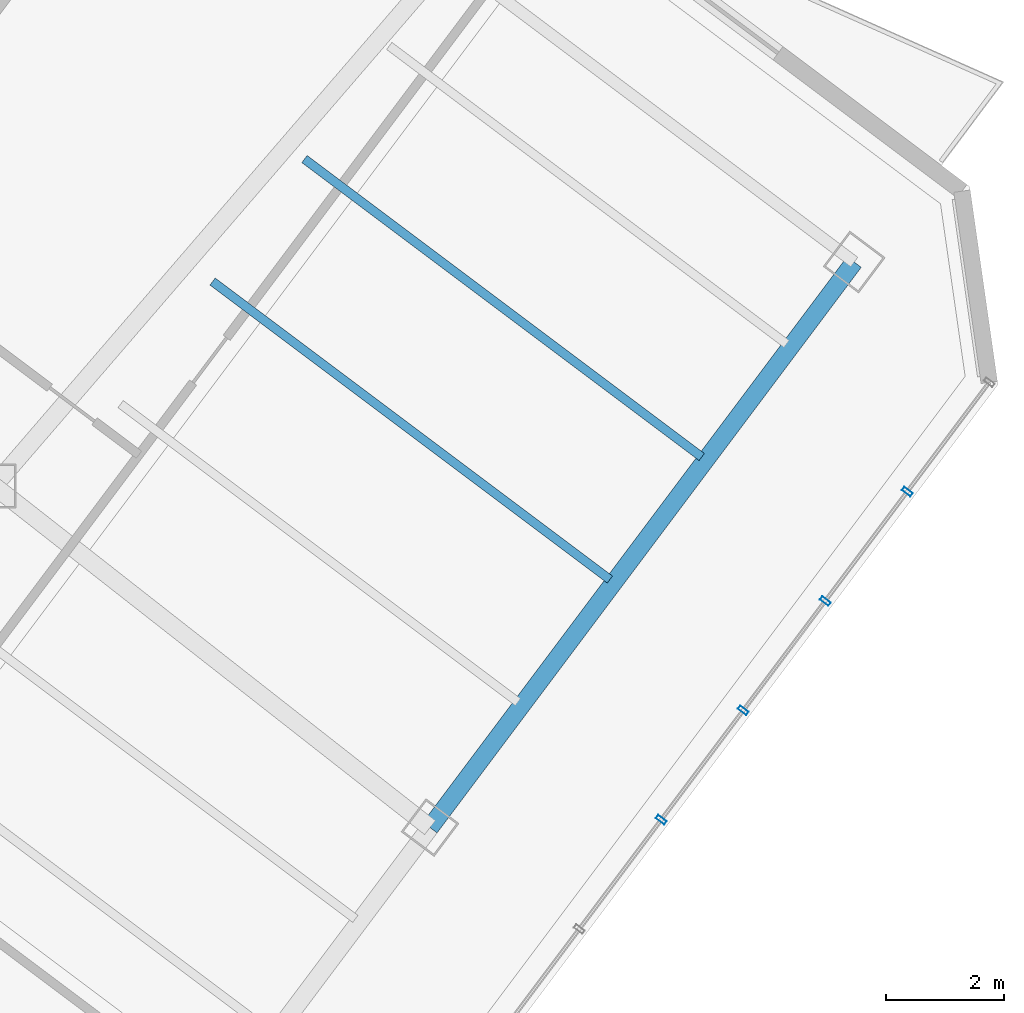
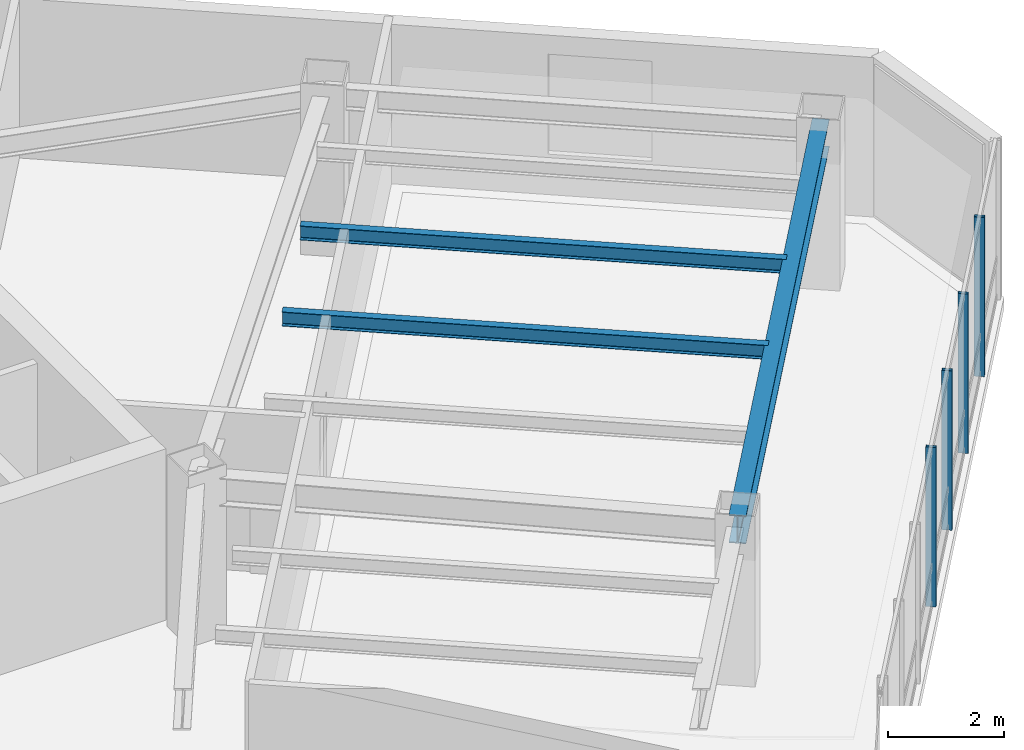
# One storey, part 13 of 24: 4 members, 3 beams, 1 element without a shape of its own.
"""IFC4 building model written with IfcOpenShell, lengths in metres."""

from ifc_helpers import new_model, si_unit, direction, frame, origin, origin_2d, place, context, subcontext, project, spatial, hollow_rectangle, i_section, extrude, material, layer, layer_set, material_profile, profile_set, type_object, element, aggregate, save


model = new_model("IFC4")

# Units and contexts
model_context = context("Model", 3, precision=1e-05, world=origin(), true_north=direction((0.0, 1.0)))
body_context = subcontext(model_context, "Body", "Model", "MODEL_VIEW")
ifc_project = project(units=[si_unit("LENGTHUNIT", "METRE"), si_unit("AREAUNIT", "SQUARE_METRE"), si_unit("VOLUMEUNIT", "CUBIC_METRE"), si_unit("PLANEANGLEUNIT", "RADIAN"), si_unit("MASSUNIT", "GRAM", prefix="KILO")], contexts=[model_context])

# Site, building, storey
site_placement = place(None, origin())
site = spatial("IfcSite", under=ifc_project, at=site_placement, CompositionType="ELEMENT")
building_placement = place(site_placement, origin())
building = spatial("IfcBuilding", under=site, at=building_placement, Name="Hatsunagi Terrace Concourse", CompositionType="ELEMENT")
storey_placement = place(building_placement, frame((0.0, 0.0, 191.550048828125)))
storey = spatial("IfcBuildingStorey", under=building, at=storey_placement, Name="L50", CompositionType="ELEMENT", Elevation=191.550048828125)

# Curtain wall, members
ifc_material_1 = material(Name="Anodised Aluminium Alloy 6063-T5", Category="aluminium")
ifc_layer = layer(ifc_material_1, 0.199951171875)
ifc_layer_set = layer_set([ifc_layer], Name="OfficeZone2_CW04")
curtain_wall_type = type_object("IfcCurtainWallType", Name="OfficeZone2_CW04", PredefinedType="NOTDEFINED", material=ifc_layer_set)
curtain_wall_placement = place(storey_placement, origin())
curtain_wall = element("IfcCurtainWall", 1, at=curtain_wall_placement, inside=storey, type_object=curtain_wall_type, Name="Unitised Curtain Wall CW-04 CW-L50-03", PredefinedType="NOTDEFINED")
ifc_material_2 = material(Name="Anodised Aluminium Alloy 6063-T5", Category="aluminium")
ifc_material_profile_1 = material_profile(ifc_material_2, hollow_rectangle(XDim=0.070068359375, YDim=0.179931640625, WallThickness=0.00390625, at=origin_2d()), Name="ALU-MUL-180x70x4")
ifc_profile_set_1 = profile_set([ifc_material_profile_1], Name="Anodised Aluminium Alloy 6063-T5")
member_type = type_object("IfcMemberType", Name="CurtainWallMullion_180x70", PredefinedType="MULLION", material=ifc_profile_set_1)
member_1_placement = place(storey_placement, frame((59.301025390625, 24.10205078125, 0.0), z_axis=(0.0, 0.0, 1.0), x_axis=(-0.599969314634, -0.800023013105, 0.0)))
member_1 = element("IfcMember", 2, at=member_1_placement, type_object=member_type, Name="Curtain Wall Mullion MUL-02", PredefinedType="MULLION", context=body_context, shape_type="SweptSolid", body=[
    extrude(hollow_rectangle(XDim=0.070068359375, YDim=0.179931640625, WallThickness=0.00390625, at=origin_2d()), origin(), (0.0, 0.0, 1.0), 3.349853515625),
])
member_2_placement = place(storey_placement, frame((57.908935546875, 22.2451171875, 0.0), z_axis=(0.0, 0.0, 1.0), x_axis=(-0.599969314634, -0.800023013105, 0.0)))
member_2 = element("IfcMember", 3, at=member_2_placement, type_object=member_type, Name="Curtain Wall Mullion MUL-02", PredefinedType="MULLION", context=body_context, shape_type="SweptSolid", body=[
    extrude(hollow_rectangle(XDim=0.070068359375, YDim=0.179931640625, WallThickness=0.00390625, at=origin_2d()), origin(), (0.0, 0.0, 1.0), 3.349853515625),
])
member_3_placement = place(storey_placement, frame((56.51611328125, 20.388916015625, 0.0), z_axis=(0.0, 0.0, 1.0), x_axis=(-0.599969314634, -0.800023013105, 0.0)))
member_3 = element("IfcMember", 4, at=member_3_placement, type_object=member_type, Name="Curtain Wall Mullion MUL-02", PredefinedType="MULLION", context=body_context, shape_type="SweptSolid", body=[
    extrude(hollow_rectangle(XDim=0.070068359375, YDim=0.179931640625, WallThickness=0.00390625, at=origin_2d()), origin(), (0.0, 0.0, 1.0), 3.349853515625),
])
member_4_placement = place(storey_placement, frame((55.1240234375, 18.531982421875, 0.0), z_axis=(0.0, 0.0, 1.0), x_axis=(-0.599969314634, -0.800023013105, 0.0)))
member_4 = element("IfcMember", 5, at=member_4_placement, type_object=member_type, Name="Curtain Wall Mullion MUL-02", PredefinedType="MULLION", context=body_context, shape_type="SweptSolid", body=[
    extrude(hollow_rectangle(XDim=0.070068359375, YDim=0.179931640625, WallThickness=0.00390625, at=origin_2d()), origin(), (0.0, 0.0, 1.0), 3.349853515625),
])
aggregate(curtain_wall, [member_1, member_2, member_3, member_4])

# Beams
ifc_material_3 = material(Name="Steel SN490B", Category="steel")
ifc_material_profile_2 = material_profile(ifc_material_3, i_section(OverallWidth=0.300048828125, OverallDepth=0.587890625, WebThickness=0.011962890625, FlangeThickness=0.02001953125, FilletRadius=0.01806640625, at=origin_2d()), Name="H-588x300x12x20")
ifc_profile_set_2 = profile_set([ifc_material_profile_2], Name="Steel SN490B")
beam_type_1 = type_object("IfcBeamType", Name="OfficeHighGirder_H_588x300", PredefinedType="BEAM", material=ifc_profile_set_2)
beam_placement = place(storey_placement, frame((51.199951171875, 18.39990234375, 3.055908203125), z_axis=(0.59999348959, 0.800004882766, 0.0), x_axis=(-0.800004882766, 0.59999348959, 0.0)))
element("IfcBeam", 6, at=beam_placement, inside=storey, type_object=beam_type_1, Name="Beam G-06 BM-L50-SET-2B", PredefinedType="BEAM", context=body_context, shape_type="SweptSolid", body=[
    extrude(i_section(OverallWidth=0.300048828125, OverallDepth=0.587890625, WebThickness=0.011962890625, FlangeThickness=0.02001953125, FilletRadius=0.01806640625, at=origin_2d()), origin(), (0.0, 0.0, 1.0), 12.0),
])
ifc_material_4 = material(Name="Steel SN490B", Category="steel")
ifc_material_profile_3 = material_profile(ifc_material_4, i_section(OverallWidth=0.14990234375, OverallDepth=0.300048828125, WebThickness=0.006591796875, FlangeThickness=0.009033203125, FilletRadius=0.010986328125, at=origin_2d()), Name="H-300x150x6.5x9")
ifc_profile_set_3 = profile_set([ifc_material_profile_3], Name="Steel SN490B")
beam_type_2 = type_object("IfcBeamType", Name="OfficeJoist_H_300x150", PredefinedType="JOIST", material=ifc_profile_set_3)
for number, where, z_axis, x_axis, name in (
    (7, (47.508056640625, 27.6689453125, 3.199951171875), (0.800003475366, -0.59999536615, 0.0), (0.59999536615, 0.800003475366, 0.0), "Beam J-03 J-L50-SE-2-168"),
    (8, (49.068115234375, 29.7490234375, 3.199951171875), (0.799989573921, -0.600013901187, 0.0), (0.600013901187, 0.799989573921, 0.0), "Beam J-03 J-L50-SE-2-194"),
):
    element("IfcBeam", number, at=place(storey_placement, frame(where, z_axis=z_axis, x_axis=x_axis)), inside=storey, type_object=beam_type_2, Name=name, PredefinedType="JOIST", context=body_context, shape_type="SweptSolid", body=[
        extrude(i_section(OverallWidth=0.14990234375, OverallDepth=0.300048828125, WebThickness=0.006591796875, FlangeThickness=0.009033203125, FilletRadius=0.010986328125, at=origin_2d()), origin(), (0.0, 0.0, 1.0), 8.429931640625),
    ])

save(model, "model.ifc")
